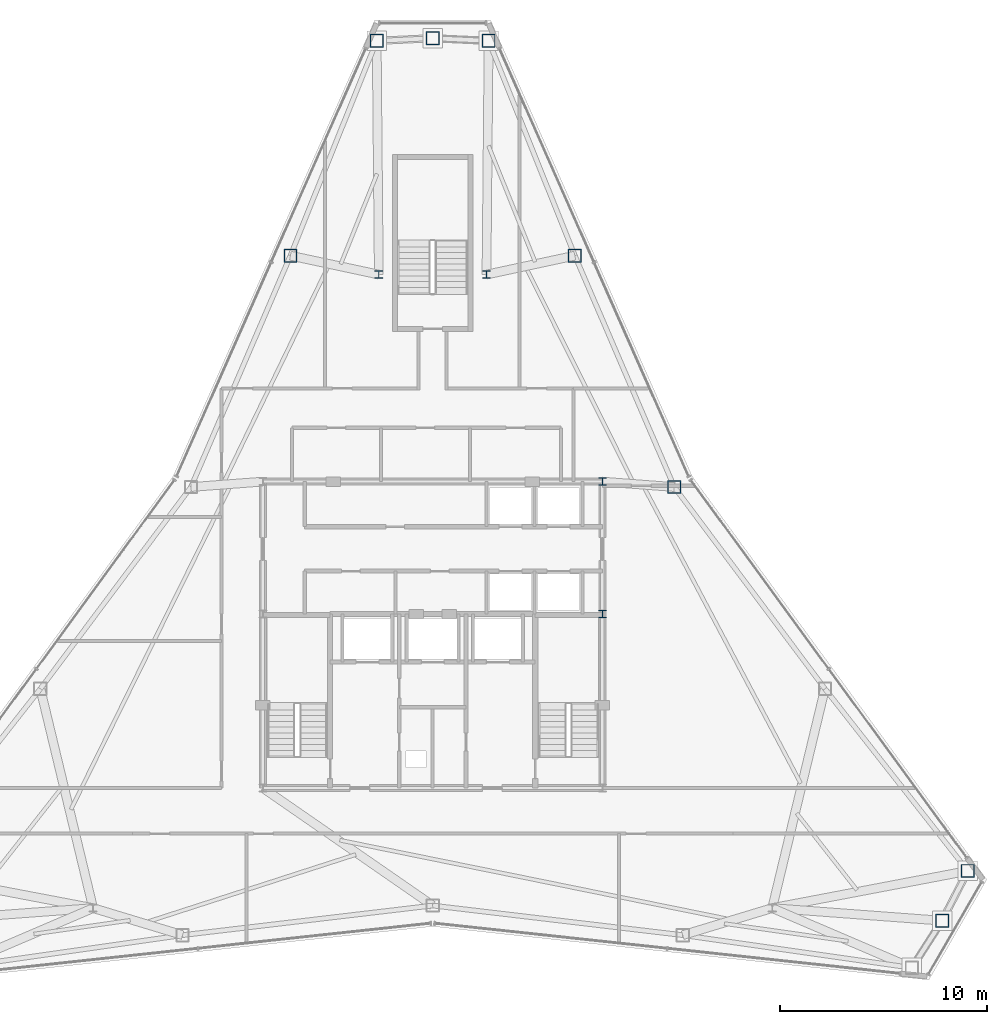
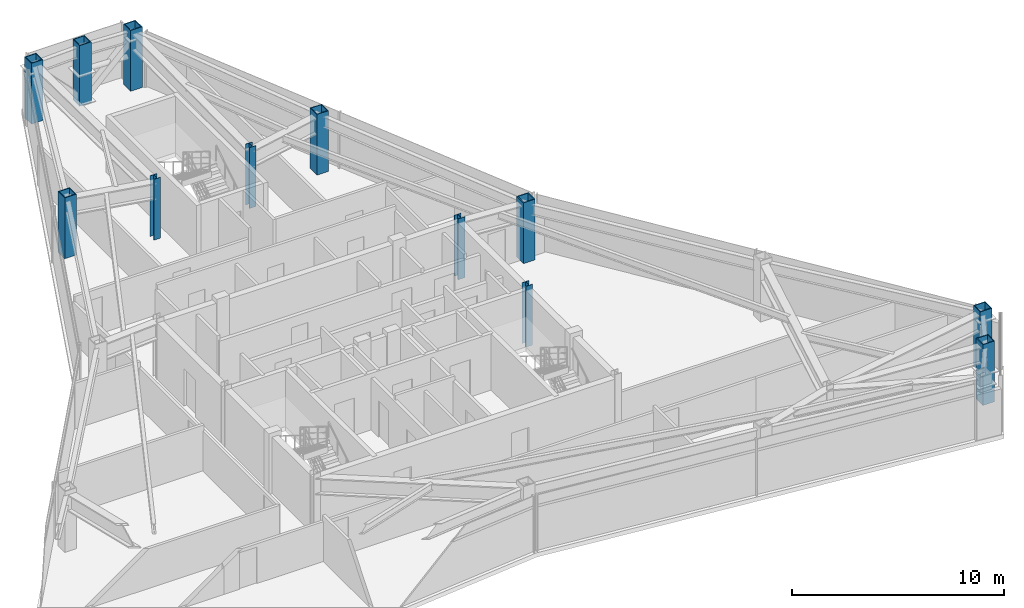
# One storey, part 2 of 12: 12 columns.
"""IFC4 building model written with IfcOpenShell, lengths in metres."""

from ifc_helpers import new_model, si_unit, direction, frame, origin, origin_2d, place, context, subcontext, project, spatial, hollow_rectangle, i_section, extrude, material, material_profile, profile_set, type_object, element, save


model = new_model("IFC4")

# Units and contexts
model_context = context("Model", 3, precision=1e-05, world=origin(), true_north=direction((0.0, 1.0)))
body_context = subcontext(model_context, "Body", "Model", "MODEL_VIEW")
ifc_project = project(units=[si_unit("LENGTHUNIT", "METRE"), si_unit("AREAUNIT", "SQUARE_METRE"), si_unit("VOLUMEUNIT", "CUBIC_METRE"), si_unit("PLANEANGLEUNIT", "RADIAN"), si_unit("MASSUNIT", "GRAM", prefix="KILO")], contexts=[model_context])

# Site, building, storey
site_placement = place(None, origin())
site = spatial("IfcSite", under=ifc_project, at=site_placement, CompositionType="ELEMENT")
building_placement = place(site_placement, origin())
building = spatial("IfcBuilding", under=site, at=building_placement, Name="Varakhsha Concourse Tower", CompositionType="ELEMENT")
storey_placement = place(building_placement, frame((0.0, 0.0, 265.5)))
storey = spatial("IfcBuildingStorey", under=building, at=storey_placement, Name="L75", CompositionType="ELEMENT", Elevation=265.5)

# Columns
ifc_material_1 = material(Name="Structural Steel ASTM A992 Grade 50", Category="steel")
ifc_material_profile_1 = material_profile(ifc_material_1, i_section(OverallWidth=0.3740234375, OverallDepth=0.3720703125, WebThickness=0.01611328125, FlangeThickness=0.02587890625, at=origin_2d()), Name="W14X132")
ifc_profile_set_1 = profile_set([ifc_material_profile_1], Name="Structural Steel ASTM A992 Grade 50")
column_type_1 = type_object("IfcColumnType", Name="CL-CORE-W14X132", PredefinedType="COLUMN", material=ifc_profile_set_1)
for number, where, z_axis, x_axis, name in (
    (1, (48.199951171875, 24.800048828125, 0.0), (0.0, 0.0, 1.0), (1.0, 0.0, 0.0), "L75 Core Column CC-ME"),
    (2, (48.199951171875, 31.199951171875, 0.0), (0.0, 0.0, 1.0), (1.0, 0.0, 0.0), "L75 Core Column CC-NE"),
    (3, (37.39990234375, 41.199951171875, 0.0), (0.0, 0.0, 1.0), (1.0, 0.0, 0.0), "L75 Core Column NS-W"),
    (4, (42.60009765625, 41.199951171875, 0.0), (0.0, 0.0, 1.0), (1.0, 0.0, 0.0), "L75 Core Column NS-E"),
):
    element("IfcColumn", number, at=place(storey_placement, frame(where, z_axis=z_axis, x_axis=x_axis)), inside=storey, type_object=column_type_1, Name=name, PredefinedType="COLUMN", context=body_context, shape_type="SweptSolid", body=[
        extrude(i_section(OverallWidth=0.3740234375, OverallDepth=0.3720703125, WebThickness=0.01611328125, FlangeThickness=0.02587890625, at=origin_2d()), origin(), (0.0, 0.0, 1.0), 3.5),
    ])
ifc_material_2 = material(Name="Structural Steel ASTM A572 Grade 50", Category="steel")
ifc_material_profile_2 = material_profile(ifc_material_2, hollow_rectangle(XDim=0.639892578125, YDim=0.639892578125, WallThickness=0.044921875, at=origin_2d()), Name="BOX 640x640x45")
ifc_profile_set_2 = profile_set([ifc_material_profile_2], Name="Structural Steel ASTM A572 Grade 50")
column_type_2 = type_object("IfcColumnType", Name="CL-TUBE-640", PredefinedType="COLUMN", material=ifc_profile_set_2)
for number, where, z_axis, x_axis, name in (
    (5, (42.70361328125, 52.489501953125, 0.0), (0.0, 0.0, 1.0), (1.0, 0.0, 0.0), "L75 Framed-Tube Column TC01"),
    (6, (40.0, 52.616943359375, 0.0), (0.0, 0.0, 1.0), (1.0, 0.0, 0.0), "L75 Framed-Tube Column TC02"),
    (7, (37.29638671875, 52.489501953125, 0.0), (0.0, 0.0, 1.0), (1.0, 0.0, 0.0), "L75 Framed-Tube Column TC03"),
    (8, (33.131103515625, 42.11474609375, 0.0), (0.0, 0.0, 1.0), (1.0, 0.0, 0.0), "L75 Framed-Tube Column TC04"),
    (9, (64.60986328125, 9.991455078125, 0.0), (0.0, 0.0, 1.0), (1.0, 0.0, 0.0), "L75 Framed-Tube Column TC14"),
    (10, (65.851318359375, 12.396728515625, 0.0), (0.0, 0.0, 1.0), (1.0, 0.0, 0.0), "L75 Framed-Tube Column TC15"),
    (11, (51.6708984375, 30.938232421875, 0.0), (0.0, 0.0, 1.0), (1.0, 0.0, 0.0), "L75 Framed-Tube Column TC17"),
    (12, (46.868896484375, 42.11474609375, 0.0), (0.0, 0.0, 1.0), (1.0, 0.0, 0.0), "L75 Framed-Tube Column TC18"),
):
    element("IfcColumn", number, at=place(storey_placement, frame(where, z_axis=z_axis, x_axis=x_axis)), inside=storey, type_object=column_type_2, Name=name, PredefinedType="COLUMN", context=body_context, shape_type="SweptSolid", body=[
        extrude(hollow_rectangle(XDim=0.639892578125, YDim=0.639892578125, WallThickness=0.044921875, at=origin_2d()), origin(), (0.0, 0.0, 1.0), 3.5),
    ])

save(model, "model.ifc")
